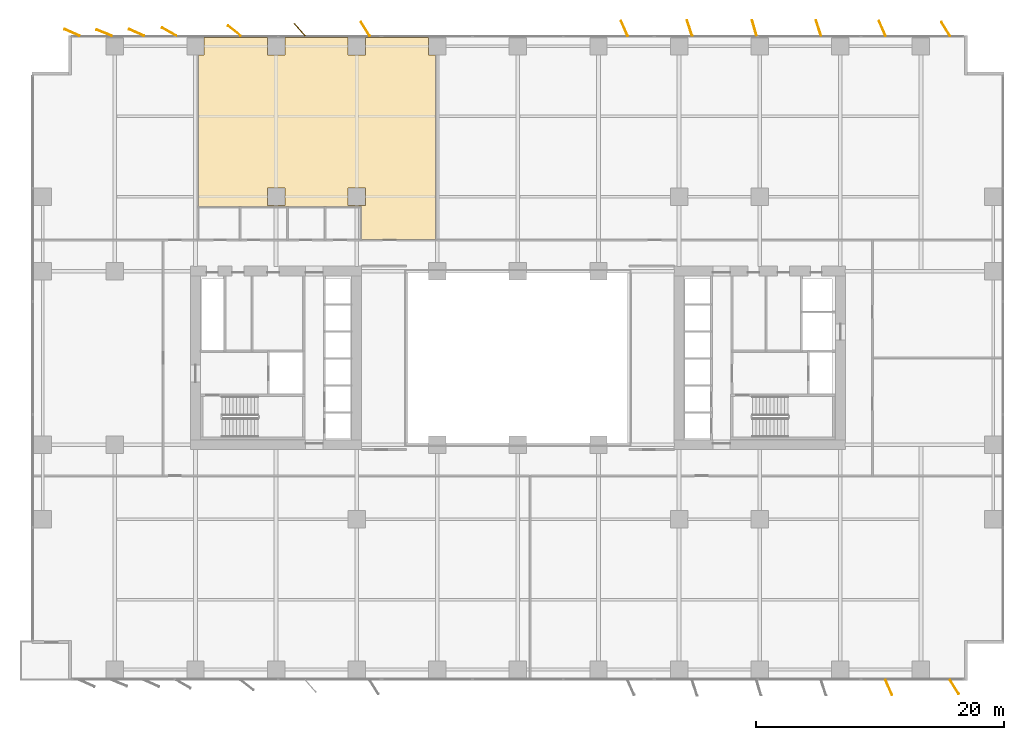
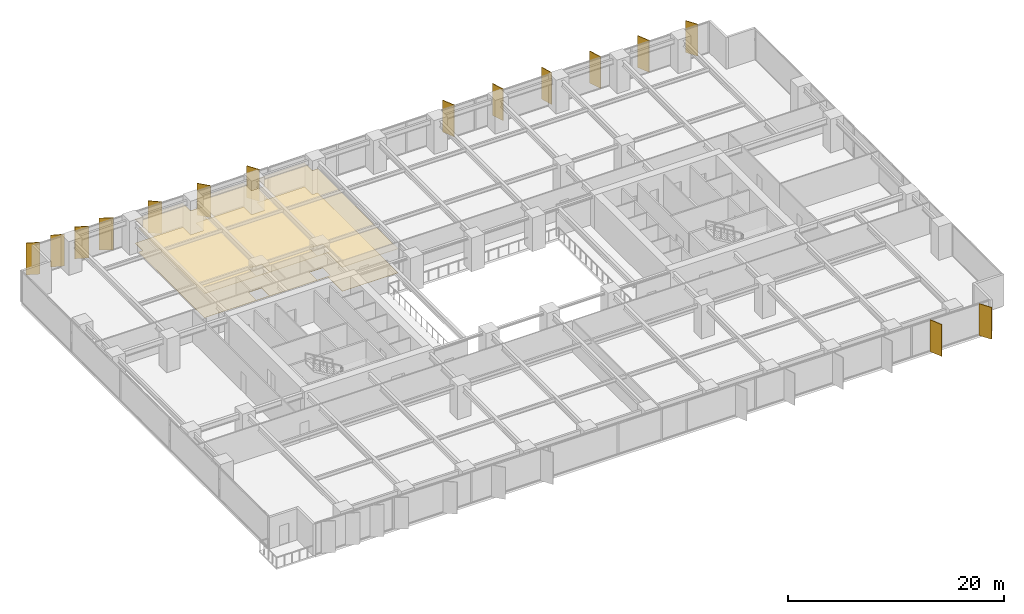
# One storey, part 20 of 20: 15 shading devices, 2 coverings.
"""IFC4 building model written with IfcOpenShell, lengths in metres."""

from ifc_helpers import new_model, si_unit, direction, frame, origin, origin_2d, place, context, subcontext, project, spatial, polyline, rectangle, outline, extrude, material, layer, layer_set, type_object, element, save


model = new_model("IFC4")

# Units and contexts
model_context = context("Model", 3, precision=1e-05, world=origin(), true_north=direction((0.0, 1.0)))
body_context = subcontext(model_context, "Body", "Model", "MODEL_VIEW")
ifc_project = project(units=[si_unit("LENGTHUNIT", "METRE"), si_unit("AREAUNIT", "SQUARE_METRE"), si_unit("VOLUMEUNIT", "CUBIC_METRE"), si_unit("PLANEANGLEUNIT", "RADIAN"), si_unit("MASSUNIT", "GRAM", prefix="KILO")], contexts=[model_context])

# Site, building, storey
site_placement = place(None, origin())
site = spatial("IfcSite", under=ifc_project, at=site_placement, CompositionType="ELEMENT")
building_placement = place(site_placement, origin())
building = spatial("IfcBuilding", under=site, at=building_placement, Name="Putna Gate Headquarters", CompositionType="ELEMENT")
storey_placement = place(building_placement, frame((0.0, 0.0, 27.800048828125)))
storey = spatial("IfcBuildingStorey", under=building, at=storey_placement, Name="L05", CompositionType="ELEMENT", Elevation=27.800048828125)

# Coverings
ifc_material_1 = material(Name="Perforated mineral-fibre acoustic ceiling tile")
ifc_layer_1 = layer(ifc_material_1, 0.0400390625)
ifc_layer_set_1 = layer_set([ifc_layer_1], Name="Perforated mineral-fibre acoustic ceiling tile")
covering_type_1 = type_object("IfcCoveringType", Name="COV-ACOUSTIC-CEILING", PredefinedType="CEILING", material=ifc_layer_set_1)
covering_1_placement = place(storey_placement, frame((0.0, 0.0, 2.7099609375)))
element("IfcCovering", 1, at=covering_1_placement, inside=storey, type_object=covering_type_1, Name="L05 Acoustic Ceiling Covering 1", PredefinedType="CEILING", context=body_context, shape_type="SweptSolid", body=[
    extrude(outline(polyline([(13.7080078125, 50.412109375), (13.239990234375, 50.412109375), (13.239990234375, 38.219970703125), (26.39990234375, 38.219970703125), (26.39990234375, 35.5400390625), (32.360107421875, 35.5400390625), (32.360107421875, 50.412109375), (31.7919921875, 50.412109375), (31.7919921875, 51.827880859375), (31.81201171875, 51.827880859375), (31.81201171875, 51.840087890625), (26.68798828125, 51.840087890625), (26.68798828125, 51.827880859375), (26.7080078125, 51.827880859375), (26.7080078125, 50.412109375), (25.2919921875, 50.412109375), (25.2919921875, 51.827880859375), (25.31201171875, 51.827880859375), (25.31201171875, 51.840087890625), (20.18798828125, 51.840087890625), (20.18798828125, 51.827880859375), (20.2080078125, 51.827880859375), (20.2080078125, 50.412109375), (18.7919921875, 50.412109375), (18.7919921875, 51.827880859375), (18.81201171875, 51.827880859375), (18.81201171875, 51.840087890625), (13.68798828125, 51.840087890625), (13.68798828125, 51.827880859375), (13.7080078125, 51.827880859375), (13.7080078125, 50.412109375)]), holes=[polyline([(20.2080078125, 38.2919921875), (20.2080078125, 39.7080078125), (18.7919921875, 39.7080078125), (18.7919921875, 38.2919921875), (20.2080078125, 38.2919921875)]), polyline([(26.7080078125, 38.2919921875), (26.7080078125, 39.7080078125), (25.2919921875, 39.7080078125), (25.2919921875, 38.2919921875), (26.7080078125, 38.2919921875)])]), origin(), (0.0, 0.0, 1.0), 0.0400390625),
])
ifc_material_2 = material(Name="Calcium-sulphate raised access floor finish")
ifc_layer_2 = layer(ifc_material_2, 0.030029296875)
ifc_layer_set_2 = layer_set([ifc_layer_2], Name="Calcium-sulphate raised access floor finish")
covering_type_2 = type_object("IfcCoveringType", Name="COV-RAISED-FLOORING", PredefinedType="FLOORING", material=ifc_layer_set_2)
covering_2_placement = place(storey_placement, origin())
element("IfcCovering", 2, at=covering_2_placement, inside=storey, type_object=covering_type_2, Name="L05 Raised Access Floor Covering 1", PredefinedType="FLOORING", context=body_context, shape_type="SweptSolid", body=[
    extrude(outline(polyline([(13.7080078125, 50.412109375), (13.239990234375, 50.412109375), (13.239990234375, 38.219970703125), (26.39990234375, 38.219970703125), (26.39990234375, 35.5400390625), (32.360107421875, 35.5400390625), (32.360107421875, 50.412109375), (31.7919921875, 50.412109375), (31.7919921875, 51.827880859375), (31.81201171875, 51.827880859375), (31.81201171875, 51.840087890625), (26.68798828125, 51.840087890625), (26.68798828125, 51.827880859375), (26.7080078125, 51.827880859375), (26.7080078125, 50.412109375), (25.2919921875, 50.412109375), (25.2919921875, 51.827880859375), (25.31201171875, 51.827880859375), (25.31201171875, 51.840087890625), (20.18798828125, 51.840087890625), (20.18798828125, 51.827880859375), (20.2080078125, 51.827880859375), (20.2080078125, 50.412109375), (18.7919921875, 50.412109375), (18.7919921875, 51.827880859375), (18.81201171875, 51.827880859375), (18.81201171875, 51.840087890625), (13.68798828125, 51.840087890625), (13.68798828125, 51.827880859375), (13.7080078125, 51.827880859375), (13.7080078125, 50.412109375)]), holes=[polyline([(20.2080078125, 38.2919921875), (20.2080078125, 39.7080078125), (18.7919921875, 39.7080078125), (18.7919921875, 38.2919921875), (20.2080078125, 38.2919921875)]), polyline([(26.7080078125, 38.2919921875), (26.7080078125, 39.7080078125), (25.2919921875, 39.7080078125), (25.2919921875, 38.2919921875), (26.7080078125, 38.2919921875)])]), origin(), (0.0, 0.0, 1.0), 0.030029296875),
])

# Shading devices
ifc_material_3 = material(Name="Anodised architectural bronze aluminium fin", Category="aluminium")
ifc_layer_3 = layer(ifc_material_3, 0.06494140625)
ifc_layer_set_3 = layer_set([ifc_layer_3], Name="Anodised architectural bronze aluminium fin")
shading_device_type = type_object("IfcShadingDeviceType", Name="SHADE-BRONZE-FIN-1320", PredefinedType="USERDEFINED", material=ifc_layer_set_3)
for number, where, z_axis, x_axis, name in (
    (3, (3.047119140625, 52.2431640625, -0.02001953125), (0.0, 0.0, 1.0), (-0.913687379856, 0.40641773078, 0.0), "L05 Bronze Vertical Shading Fin N1"),
    (4, (5.63818359375, 52.22216796875, -0.02001953125), (0.0, 0.0, 1.0), (-0.927183854567, 0.374606593416, 0.0), "L05 Bronze Vertical Shading Fin N2"),
    (5, (8.2470703125, 52.2431640625, -0.02001953125), (0.0, 0.0, 1.0), (-0.913687379856, 0.40641773078, 0.0), "L05 Bronze Vertical Shading Fin N3"),
    (6, (10.876220703125, 52.30126953125, -0.02001953125), (0.0, 0.0, 1.0), (-0.869322458298, 0.494245347472, 0.0), "L05 Bronze Vertical Shading Fin N4"),
    (7, (16.13037109375, 52.3818359375, -0.02001953125), (0.0, 0.0, 1.0), (-0.787473187632, 0.616348909921, 0.0), "L05 Bronze Vertical Shading Fin N5"),
    (8, (21.408447265625, 52.465576171875, -0.02001953125), (0.0, 0.0, 1.0), (-0.669130606359, 0.743144825477, 0.0), "L05 Bronze Vertical Shading Fin N6"),
    (9, (26.69970703125, 52.534423828125, -0.02001953125), (0.0, 0.0, 1.0), (-0.530659123936, 0.847585331506, 0.0), "L05 Bronze Vertical Shading Fin N7"),
    (10, (47.585693359375, 52.57958984375, -0.02001953125), (0.0, 0.0, 1.0), (-0.400668879095, 0.916222925562, 0.0), "L05 Bronze Vertical Shading Fin N8"),
    (11, (52.84619140625, 52.602783203125, -0.02001953125), (0.0, 0.0, 1.0), (-0.308684994204, 0.951164325631, 0.0), "L05 Bronze Vertical Shading Fin N9"),
    (12, (58.068115234375, 52.609375, -0.02001953125), (0.0, 0.0, 1.0), (-0.275637355817, 0.961261695938, 0.0), "L05 Bronze Vertical Shading Fin N10"),
    (13, (63.246337890625, 52.602783203125, -0.02001953125), (0.0, 0.0, 1.0), (-0.308684994204, 0.951164325631, 0.0), "L05 Bronze Vertical Shading Fin N11"),
    (14, (68.914306640625, -0.57958984375, -0.02001953125), (0.0, 0.0, 1.0), (0.400668879095, -0.916222925562, 0.0), "L05 Bronze Vertical Shading Fin S12"),
    (15, (68.385498046875, 52.57958984375, -0.02001953125), (0.0, 0.0, 1.0), (-0.400668879095, 0.916222925562, 0.0), "L05 Bronze Vertical Shading Fin N12"),
    (16, (74.2001953125, -0.534423828125, -0.02001953125), (0.0, 0.0, 1.0), (0.530659123936, -0.847585331506, 0.0), "L05 Bronze Vertical Shading Fin S13"),
    (17, (73.499755859375, 52.534423828125, -0.02001953125), (0.0, 0.0, 1.0), (-0.530659123936, 0.847585331506, 0.0), "L05 Bronze Vertical Shading Fin N13"),
):
    element("IfcShadingDevice", number, at=place(storey_placement, frame(where, z_axis=z_axis, x_axis=x_axis)), inside=storey, type_object=shading_device_type, Name=name, ObjectType="FIN", PredefinedType="USERDEFINED", context=body_context, shape_type="SweptSolid", body=[
        extrude(rectangle(XDim=1.320068359375, YDim=0.06494140625, at=origin_2d()), origin(), (0.0, 0.0, 1.0), 3.590087890625),
    ])

save(model, "model.ifc")
